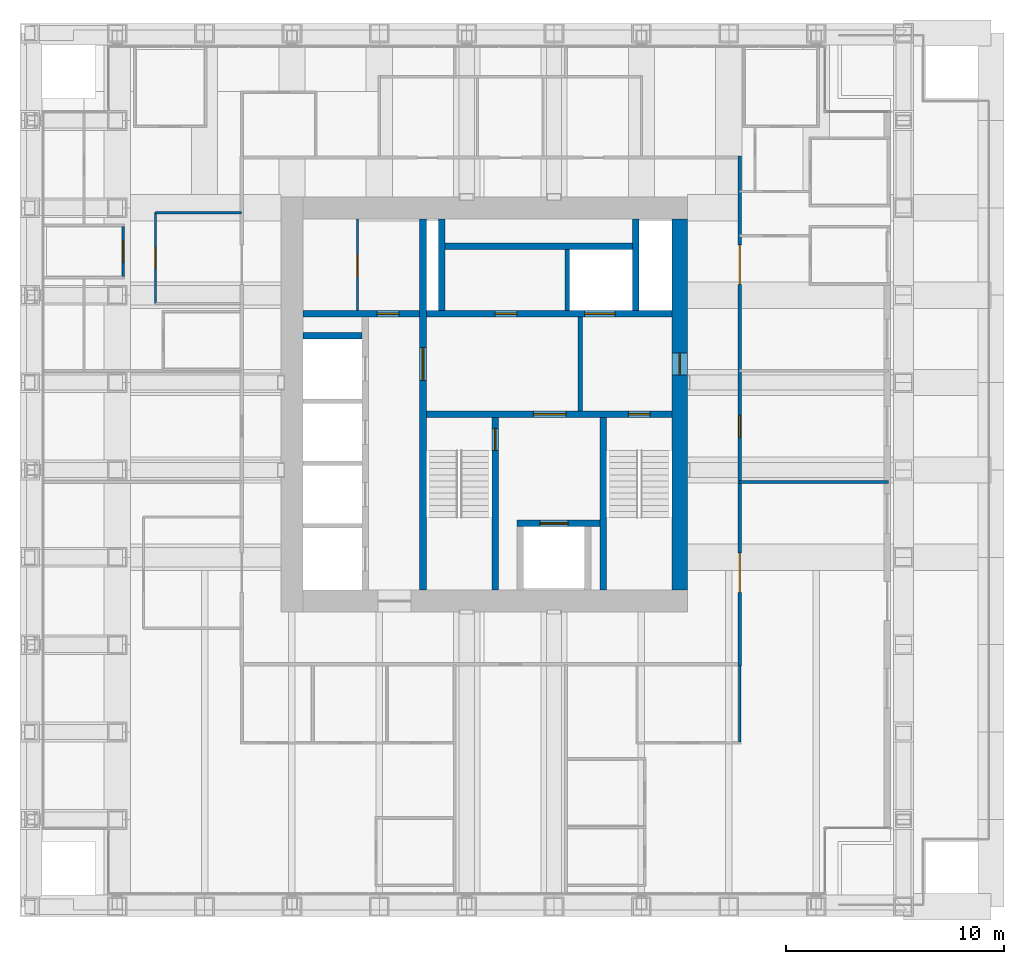
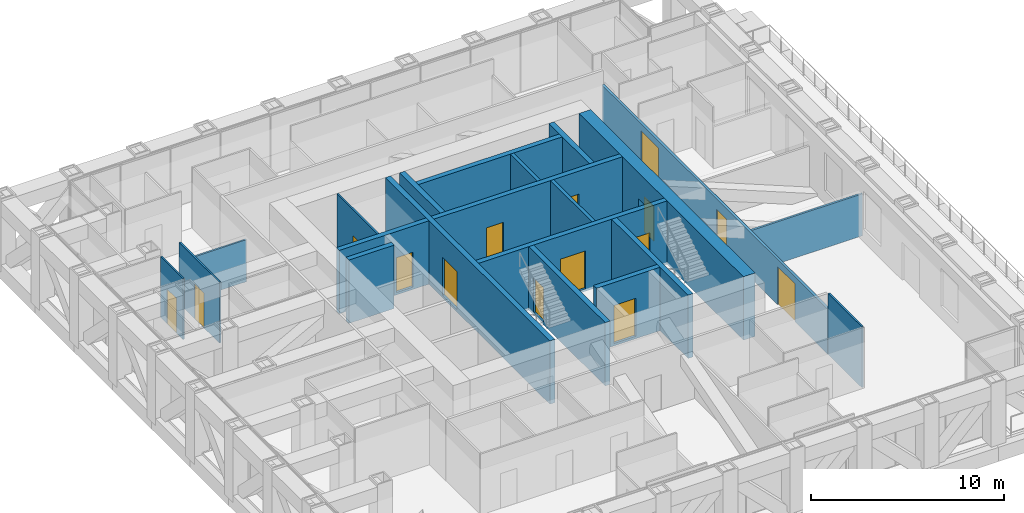
# One storey, part 10 of 14: 21 walls, 15 doors, 15 openings.
"""IFC4 building model written with IfcOpenShell, lengths in metres."""

from ifc_helpers import new_model, si_unit, direction, frame, frame_2d, origin, place, context, subcontext, project, spatial, rectangle, extrude, material, layer, layer_set, type_object, element, fill, save


model = new_model("IFC4")

# Units and contexts
model_context = context("Model", 3, precision=1e-05, world=origin(), true_north=direction((0.0, 1.0)))
body_context = subcontext(model_context, "Body", "Model", "MODEL_VIEW")
ifc_project = project(units=[si_unit("LENGTHUNIT", "METRE"), si_unit("AREAUNIT", "SQUARE_METRE"), si_unit("VOLUMEUNIT", "CUBIC_METRE"), si_unit("PLANEANGLEUNIT", "RADIAN"), si_unit("MASSUNIT", "GRAM", prefix="KILO")], contexts=[model_context])

# Site, building, storey
site_placement = place(None, origin())
site = spatial("IfcSite", under=ifc_project, at=site_placement, CompositionType="ELEMENT")
building_placement = place(site_placement, origin())
building = spatial("IfcBuilding", under=site, at=building_placement, Name="Rimbunsela Tower", CompositionType="ELEMENT")
storey_placement = place(building_placement, frame((0.0, 0.0, 270.199951171875)))
storey = spatial("IfcBuildingStorey", under=building, at=storey_placement, Name="L65", CompositionType="ELEMENT", Elevation=270.199951171875)

# Wall, opening, door
ifc_material_1 = material(Name="Concrete fc' 80 MPa", Category="concrete")
ifc_layer_1 = layer(ifc_material_1, 0.300048828125)
ifc_layer_set_1 = layer_set([ifc_layer_1], Name="Core internal wall 300")
wall_type_1 = type_object("IfcWallType", Name="Core internal wall 300", PredefinedType="SHEAR", material=ifc_layer_set_1)
wall_1_placement = place(storey_placement, frame((24.0, 18.5, -0.14990234375), z_axis=(0.0, 0.0, 1.0), x_axis=(0.0, 1.0, 0.0)))
wall_1 = element("IfcWall", 1, at=wall_1_placement, inside=storey, type_object=wall_type_1, Name="Core wall at stair A", PredefinedType="SHEAR", context=body_context, shape_type="SweptSolid", body=[
    extrude(rectangle(XDim=17.0, YDim=0.300048828125, at=frame_2d((8.5, 0.0))), origin(), (0.0, 0.0, 1.0), 4.0),
])
opening_1_placement = place(wall_1_placement, frame((9.60009765625, 0.0, 0.14990234375)))
opening_1 = element("IfcOpeningElement", 2, at=opening_1_placement, cuts=wall_1, Name="Opening D03", PredefinedType="OPENING", context=body_context, shape_type="SweptSolid", body=[
    extrude(rectangle(XDim=1.5, YDim=2.39990234375, at=frame_2d((0.75, 1.199951171875))), frame((0.0, 0.159912109375, 0.0), z_axis=(0.0, -1.0, 0.0), x_axis=(1.0, 0.0, 0.0)), (0.0, 0.0, 1.0), 0.320068359375),
])
ifc_material_2 = material(Name="Steel door, fire rated", Category="steel")
door_type_1 = type_object("IfcDoorType", Name="Core lobby door 1500", OperationType="DOUBLE_DOOR_DOUBLE_SWING", PredefinedType="DOOR", material=ifc_material_2)
door_1_placement = place(opening_1_placement, origin())
door_1 = element("IfcDoor", 3, at=door_1_placement, inside=storey, type_object=door_type_1, Name="West lobby door", OperationType="DOUBLE_DOOR_DOUBLE_SWING", OverallHeight=2.39990234375, OverallWidth=1.5, PredefinedType="DOOR", context=body_context, shape_type="SweptSolid", body=[
    extrude(rectangle(XDim=1.5, YDim=2.39990234375, at=frame_2d((0.75, 1.199951171875))), frame((0.0, 0.02490234375, 0.0), z_axis=(0.0, -1.0, 0.0), x_axis=(1.0, 0.0, 0.0)), (0.0, 0.0, 1.0), 0.050048828125),
])
fill(opening_1, door_1)

# Wall, openings, doors
wall_2_placement = place(storey_placement, frame((24.14990234375, 26.550048828125, -0.14990234375), z_axis=(0.0, 0.0, 1.0), x_axis=(1.0, 0.0, 0.0)))
wall_2 = element("IfcWall", 4, at=wall_2_placement, inside=storey, type_object=wall_type_1, Name="Core wall lobby south", PredefinedType="SHEAR", context=body_context, shape_type="SweptSolid", body=[
    extrude(rectangle(XDim=11.25, YDim=0.300048828125, at=frame_2d((5.625, 0.0))), origin(), (0.0, 0.0, 1.0), 4.0),
])
opening_2_placement = place(wall_2_placement, frame((9.25, 0.0, 0.14990234375)))
opening_2 = element("IfcOpeningElement", 5, at=opening_2_placement, cuts=wall_2, Name="Opening D01", PredefinedType="OPENING", context=body_context, shape_type="SweptSolid", body=[
    extrude(rectangle(XDim=1.0, YDim=2.199951171875, at=frame_2d((0.5, 1.10009765625))), frame((0.0, 0.159912109375, 0.0), z_axis=(0.0, -1.0, 0.0), x_axis=(1.0, 0.0, 0.0)), (0.0, 0.0, 1.0), 0.320068359375),
])
opening_3_placement = place(wall_2_placement, frame((4.89990234375, 0.0, 0.14990234375)))
opening_3 = element("IfcOpeningElement", 6, at=opening_3_placement, cuts=wall_2, Name="Opening D03", PredefinedType="OPENING", context=body_context, shape_type="SweptSolid", body=[
    extrude(rectangle(XDim=1.5, YDim=2.39990234375, at=frame_2d((0.75, 1.199951171875))), frame((0.0, 0.159912109375, 0.0), z_axis=(0.0, -1.0, 0.0), x_axis=(1.0, 0.0, 0.0)), (0.0, 0.0, 1.0), 0.320068359375),
])
door_2_placement = place(opening_3_placement, origin())
door_2 = element("IfcDoor", 7, at=door_2_placement, inside=storey, type_object=door_type_1, Name="Firefighting lobby door", OperationType="DOUBLE_DOOR_DOUBLE_SWING", OverallHeight=2.39990234375, OverallWidth=1.5, PredefinedType="DOOR", context=body_context, shape_type="SweptSolid", body=[
    extrude(rectangle(XDim=1.5, YDim=2.39990234375, at=frame_2d((0.75, 1.199951171875))), frame((0.0, 0.02490234375, 0.0), z_axis=(0.0, -1.0, 0.0), x_axis=(1.0, 0.0, 0.0)), (0.0, 0.0, 1.0), 0.050048828125),
])
fill(opening_3, door_2)
ifc_material_3 = material(Name="Steel door, fire rated", Category="steel")
door_type_2 = type_object("IfcDoorType", Name="Stair door 1000", OperationType="SINGLE_SWING_RIGHT", PredefinedType="DOOR", material=ifc_material_3)
door_3_placement = place(opening_2_placement, frame((1.0, 0.0, 0.0), z_axis=(0.0, 0.0, 1.0), x_axis=(-1.0, 0.0, 0.0)))
door_3 = element("IfcDoor", 8, at=door_3_placement, inside=storey, type_object=door_type_2, Name="Stair B door", OperationType="SINGLE_SWING_RIGHT", OverallHeight=2.199951171875, OverallWidth=1.0, PredefinedType="DOOR", context=body_context, shape_type="SweptSolid", body=[
    extrude(rectangle(XDim=1.0, YDim=2.199951171875, at=frame_2d((0.5, 1.10009765625))), frame((0.0, 0.02490234375, 0.0), z_axis=(0.0, -1.0, 0.0), x_axis=(1.0, 0.0, 0.0)), (0.0, 0.0, 1.0), 0.050048828125),
])
fill(opening_2, door_3)

# Wall, opening, door
wall_3_placement = place(storey_placement, frame((27.300048828125, 18.5, -0.14990234375), z_axis=(0.0, 0.0, 1.0), x_axis=(0.0, 1.0, 0.0)))
wall_3 = element("IfcWall", 9, at=wall_3_placement, inside=storey, type_object=wall_type_1, Name="Stair A enclosure", PredefinedType="SHEAR", context=body_context, shape_type="SweptSolid", body=[
    extrude(rectangle(XDim=7.89990234375, YDim=0.300048828125, at=frame_2d((3.949951171875, 0.0))), origin(), (0.0, 0.0, 1.0), 4.0),
])
opening_4_placement = place(wall_3_placement, frame((6.39990234375, 0.0, 0.14990234375)))
opening_4 = element("IfcOpeningElement", 10, at=opening_4_placement, cuts=wall_3, Name="Opening D01", PredefinedType="OPENING", context=body_context, shape_type="SweptSolid", body=[
    extrude(rectangle(XDim=1.0, YDim=2.199951171875, at=frame_2d((0.5, 1.10009765625))), frame((0.0, 0.159912109375, 0.0), z_axis=(0.0, -1.0, 0.0), x_axis=(1.0, 0.0, 0.0)), (0.0, 0.0, 1.0), 0.320068359375),
])
door_4_placement = place(opening_4_placement, origin())
door_4 = element("IfcDoor", 11, at=door_4_placement, inside=storey, type_object=door_type_2, Name="Stair A door", OperationType="SINGLE_SWING_RIGHT", OverallHeight=2.199951171875, OverallWidth=1.0, PredefinedType="DOOR", context=body_context, shape_type="SweptSolid", body=[
    extrude(rectangle(XDim=1.0, YDim=2.199951171875, at=frame_2d((0.5, 1.10009765625))), frame((0.0, 0.02490234375, 0.0), z_axis=(0.0, -1.0, 0.0), x_axis=(1.0, 0.0, 0.0)), (0.0, 0.0, 1.0), 0.050048828125),
])
fill(opening_4, door_4)

# Wall
wall_4_placement = place(storey_placement, frame((32.25, 18.5, -0.14990234375), z_axis=(0.0, 0.0, 1.0), x_axis=(0.0, 1.0, 0.0)))
element("IfcWall", 12, at=wall_4_placement, inside=storey, type_object=wall_type_1, Name="Stair B enclosure", PredefinedType="SHEAR", context=body_context, shape_type="SweptSolid", body=[
    extrude(rectangle(XDim=7.89990234375, YDim=0.300048828125, at=frame_2d((3.949951171875, 0.0))), origin(), (0.0, 0.0, 1.0), 4.0),
])

# Wall, opening, door
wall_5_placement = place(storey_placement, frame((28.300048828125, 21.550048828125, -0.14990234375), z_axis=(0.0, 0.0, 1.0), x_axis=(1.0, 0.0, 0.0)))
wall_5 = element("IfcWall", 13, at=wall_5_placement, inside=storey, type_object=wall_type_1, Name="Firefighting lift shaft front", PredefinedType="SHEAR", context=body_context, shape_type="SweptSolid", body=[
    extrude(rectangle(XDim=3.800048828125, YDim=0.300048828125, at=frame_2d((1.89990234375, 0.0))), origin(), (0.0, 0.0, 1.0), 4.0),
])
opening_5_placement = place(wall_5_placement, frame((1.050048828125, 0.0, 0.14990234375)))
opening_5 = element("IfcOpeningElement", 14, at=opening_5_placement, cuts=wall_5, Name="Opening LD2", PredefinedType="OPENING", context=body_context, shape_type="SweptSolid", body=[
    extrude(rectangle(XDim=1.300048828125, YDim=2.39990234375, at=frame_2d((0.64990234375, 1.199951171875))), frame((0.0, 0.159912109375, 0.0), z_axis=(0.0, -1.0, 0.0), x_axis=(1.0, 0.0, 0.0)), (0.0, 0.0, 1.0), 0.320068359375),
])
ifc_material_4 = material(Name="Steel door, fire rated", Category="steel")
door_type_3 = type_object("IfcDoorType", Name="Lift landing door 1300", OperationType="DOUBLE_DOOR_SLIDING", PredefinedType="DOOR", material=ifc_material_4)
door_5_placement = place(opening_5_placement, origin())
door_5 = element("IfcDoor", 15, at=door_5_placement, inside=storey, type_object=door_type_3, Name="Lift landing door FL1", OperationType="DOUBLE_DOOR_SLIDING", OverallHeight=2.39990234375, OverallWidth=1.300048828125, PredefinedType="DOOR", context=body_context, shape_type="SweptSolid", body=[
    extrude(rectangle(XDim=1.300048828125, YDim=2.39990234375, at=frame_2d((0.64990234375, 1.199951171875))), frame((0.0, 0.02490234375, 0.0), z_axis=(0.0, -1.0, 0.0), x_axis=(1.0, 0.0, 0.0)), (0.0, 0.0, 1.0), 0.050048828125),
])
fill(opening_5, door_5)

# Wall, openings, doors
wall_6_placement = place(storey_placement, frame((24.14990234375, 31.14990234375, -0.14990234375), z_axis=(0.0, 0.0, 1.0), x_axis=(1.0, 0.0, 0.0)))
wall_6 = element("IfcWall", 16, at=wall_6_placement, inside=storey, type_object=wall_type_1, Name="Lift shaft front north", PredefinedType="SHEAR", context=body_context, shape_type="SweptSolid", body=[
    extrude(rectangle(XDim=11.25, YDim=0.300048828125, at=frame_2d((5.625, 0.0))), origin(), (0.0, 0.0, 1.0), 4.0),
])
opening_6_placement = place(wall_6_placement, frame((3.14990234375, 0.0, 0.14990234375)))
opening_6 = element("IfcOpeningElement", 17, at=opening_6_placement, cuts=wall_6, Name="Opening D19", PredefinedType="OPENING", context=body_context, shape_type="SweptSolid", body=[
    extrude(rectangle(XDim=1.0, YDim=2.199951171875, at=frame_2d((0.5, 1.10009765625))), frame((0.0, 0.159912109375, 0.0), z_axis=(0.0, -1.0, 0.0), x_axis=(1.0, 0.0, 0.0)), (0.0, 0.0, 1.0), 0.320068359375),
])
opening_7_placement = place(wall_6_placement, frame((7.25, 0.0, 0.14990234375)))
opening_7 = element("IfcOpeningElement", 18, at=opening_7_placement, cuts=wall_6, Name="Opening LD3", PredefinedType="OPENING", context=body_context, shape_type="SweptSolid", body=[
    extrude(rectangle(XDim=1.39990234375, YDim=2.39990234375, at=frame_2d((0.699951171875, 1.199951171875))), frame((0.0, 0.159912109375, 0.0), z_axis=(0.0, -1.0, 0.0), x_axis=(1.0, 0.0, 0.0)), (0.0, 0.0, 1.0), 0.320068359375),
])
ifc_material_5 = material(Name="Steel door, fire rated", Category="steel")
door_type_4 = type_object("IfcDoorType", Name="Lift landing door 1400", OperationType="DOUBLE_DOOR_SLIDING", PredefinedType="DOOR", material=ifc_material_5)
door_6_placement = place(opening_7_placement, origin())
door_6 = element("IfcDoor", 19, at=door_6_placement, inside=storey, type_object=door_type_4, Name="Lift landing door FL2", OperationType="DOUBLE_DOOR_SLIDING", OverallHeight=2.39990234375, OverallWidth=1.39990234375, PredefinedType="DOOR", context=body_context, shape_type="SweptSolid", body=[
    extrude(rectangle(XDim=1.39990234375, YDim=2.39990234375, at=frame_2d((0.699951171875, 1.199951171875))), frame((0.0, 0.02490234375, 0.0), z_axis=(0.0, -1.0, 0.0), x_axis=(1.0, 0.0, 0.0)), (0.0, 0.0, 1.0), 0.050048828125),
])
fill(opening_7, door_6)
ifc_material_6 = material(Name="Steel door, fire rated", Category="steel")
door_type_5 = type_object("IfcDoorType", Name="Service door 1000 fire rated", OperationType="SINGLE_SWING_LEFT", PredefinedType="DOOR", material=ifc_material_6)
door_7_placement = place(opening_6_placement, origin())
door_7 = element("IfcDoor", 20, at=door_7_placement, inside=storey, type_object=door_type_5, Name="Facilities store door", OperationType="SINGLE_SWING_LEFT", OverallHeight=2.199951171875, OverallWidth=1.0, PredefinedType="DOOR", context=body_context, shape_type="SweptSolid", body=[
    extrude(rectangle(XDim=1.0, YDim=2.199951171875, at=frame_2d((0.5, 1.10009765625))), frame((0.0, 0.02490234375, 0.0), z_axis=(0.0, -1.0, 0.0), x_axis=(1.0, 0.0, 0.0)), (0.0, 0.0, 1.0), 0.050048828125),
])
fill(opening_6, door_7)

# Wall, opening, door
wall_7_placement = place(storey_placement, frame((18.5, 31.14990234375, -0.14990234375), z_axis=(0.0, 0.0, 1.0), x_axis=(1.0, 0.0, 0.0)))
wall_7 = element("IfcWall", 21, at=wall_7_placement, inside=storey, type_object=wall_type_1, Name="Store wall", PredefinedType="SHEAR", context=body_context, shape_type="SweptSolid", body=[
    extrude(rectangle(XDim=5.35009765625, YDim=0.300048828125, at=frame_2d((2.675048828125, 0.0))), origin(), (0.0, 0.0, 1.0), 4.0),
])
opening_8_placement = place(wall_7_placement, frame((3.39990234375, 0.0, 0.14990234375)))
opening_8 = element("IfcOpeningElement", 22, at=opening_8_placement, cuts=wall_7, Name="Opening D19", PredefinedType="OPENING", context=body_context, shape_type="SweptSolid", body=[
    extrude(rectangle(XDim=1.0, YDim=2.199951171875, at=frame_2d((0.5, 1.10009765625))), frame((0.0, 0.159912109375, 0.0), z_axis=(0.0, -1.0, 0.0), x_axis=(1.0, 0.0, 0.0)), (0.0, 0.0, 1.0), 0.320068359375),
])
door_8_placement = place(opening_8_placement, origin())
door_8 = element("IfcDoor", 23, at=door_8_placement, inside=storey, type_object=door_type_5, Name="IT room door", OperationType="SINGLE_SWING_LEFT", OverallHeight=2.199951171875, OverallWidth=1.0, PredefinedType="DOOR", context=body_context, shape_type="SweptSolid", body=[
    extrude(rectangle(XDim=1.0, YDim=2.199951171875, at=frame_2d((0.5, 1.10009765625))), frame((0.0, 0.02490234375, 0.0), z_axis=(0.0, -1.0, 0.0), x_axis=(1.0, 0.0, 0.0)), (0.0, 0.0, 1.0), 0.050048828125),
])
fill(opening_8, door_8)

# Walls
wall_8_placement = place(storey_placement, frame((18.5, 30.14990234375, -0.14990234375), z_axis=(0.0, 0.0, 1.0), x_axis=(1.0, 0.0, 0.0)))
element("IfcWall", 24, at=wall_8_placement, inside=storey, type_object=wall_type_1, Name="Lift shaft rear west", PredefinedType="SHEAR", context=body_context, shape_type="SweptSolid", body=[
    extrude(rectangle(XDim=2.699951171875, YDim=0.300048828125, at=frame_2d((1.35009765625, 0.0))), origin(), (0.0, 0.0, 1.0), 4.0),
])
for number, where, z_axis, x_axis, name in (
    (25, (24.85009765625, 31.300048828125, -0.14990234375), (0.0, 0.0, 1.0), (0.0, 1.0, 0.0), "Riser wall"),
    (26, (33.75, 31.300048828125, -0.14990234375), (0.0, 0.0, 1.0), (0.0, 1.0, 0.0), "Riser wall"),
):
    element("IfcWall", number, at=place(storey_placement, frame(where, z_axis=z_axis, x_axis=x_axis)), inside=storey, type_object=wall_type_1, Name=name, PredefinedType="SHEAR", context=body_context, shape_type="SweptSolid", body=[
        extrude(rectangle(XDim=4.199951171875, YDim=0.300048828125, at=frame_2d((2.10009765625, 0.0))), origin(), (0.0, 0.0, 1.0), 4.0),
    ])
wall_9_placement = place(storey_placement, frame((25.0, 34.25, -0.14990234375), z_axis=(0.0, 0.0, 1.0), x_axis=(1.0, 0.0, 0.0)))
element("IfcWall", 27, at=wall_9_placement, inside=storey, type_object=wall_type_1, Name="Lift shaft rear north", PredefinedType="SHEAR", context=body_context, shape_type="SweptSolid", body=[
    extrude(rectangle(XDim=8.60009765625, YDim=0.300048828125, at=frame_2d((4.300048828125, 0.0))), origin(), (0.0, 0.0, 1.0), 4.0),
])

# Wall, opening, door
ifc_material_7 = material(Name="Concrete blockwork", Category="masonry")
ifc_layer_2 = layer(ifc_material_7, 0.10009765625)
ifc_layer_set_2 = layer_set([ifc_layer_2], Name="Core room partition 100")
wall_type_2 = type_object("IfcWallType", Name="Core room partition 100", PredefinedType="PARTITIONING", material=ifc_layer_set_2)
wall_10_placement = place(storey_placement, frame((21.0, 31.300048828125, 0.0), z_axis=(0.0, 0.0, 1.0), x_axis=(0.0, 1.0, 0.0)))
wall_10 = element("IfcWall", 28, at=wall_10_placement, inside=storey, type_object=wall_type_2, Name="Tenant store wall", PredefinedType="PARTITIONING", context=body_context, shape_type="SweptSolid", body=[
    extrude(rectangle(XDim=4.199951171875, YDim=0.10009765625, at=frame_2d((2.10009765625, 0.0))), origin(), (0.0, 0.0, 1.0), 3.85009765625),
])
opening_9_placement = place(wall_10_placement, frame((1.550048828125, 0.0, 0.0)))
opening_9 = element("IfcOpeningElement", 29, at=opening_9_placement, cuts=wall_10, Name="Opening D19", PredefinedType="OPENING", context=body_context, shape_type="SweptSolid", body=[
    extrude(rectangle(XDim=1.0, YDim=2.199951171875, at=frame_2d((0.5, 1.10009765625))), frame((0.0, 0.06005859375, 0.0), z_axis=(0.0, -1.0, 0.0), x_axis=(1.0, 0.0, 0.0)), (0.0, 0.0, 1.0), 0.1201171875),
])
door_9_placement = place(opening_9_placement, origin())
door_9 = element("IfcDoor", 30, at=door_9_placement, inside=storey, type_object=door_type_5, Name="Tenant store door", OperationType="SINGLE_SWING_LEFT", OverallHeight=2.199951171875, OverallWidth=1.0, PredefinedType="DOOR", context=body_context, shape_type="SweptSolid", body=[
    extrude(rectangle(XDim=1.0, YDim=2.199951171875, at=frame_2d((0.5, 1.10009765625))), frame((0.0, 0.02490234375, 0.0), z_axis=(0.0, -1.0, 0.0), x_axis=(1.0, 0.0, 0.0)), (0.0, 0.0, 1.0), 0.050048828125),
])
fill(opening_9, door_9)

ifc_material_8 = material(Name="Concrete fc' 80 MPa", Category="concrete")
ifc_layer_3 = layer(ifc_material_8, 0.699951171875)
ifc_layer_set_3 = layer_set([ifc_layer_3], Name="Core wall 700 east")
wall_type_3 = type_object("IfcWallType", Name="Core wall 700 east", PredefinedType="SHEAR", material=ifc_layer_set_3)
wall_11_placement = place(storey_placement, frame((35.75, 18.5, -0.14990234375), z_axis=(0.0, 0.0, 1.0), x_axis=(0.0, 1.0, 0.0)))
wall_11 = element("IfcWall", 31, at=wall_11_placement, inside=storey, type_object=wall_type_3, Name="Core wall east", PredefinedType="SHEAR", context=body_context, shape_type="SweptSolid", body=[
    extrude(rectangle(XDim=17.0, YDim=0.699951171875, at=frame_2d((8.5, 0.0))), origin(), (0.0, 0.0, 1.0), 4.0),
])
opening_10_placement = place(wall_11_placement, frame((9.85009765625, 0.0, 0.14990234375)))
opening_10 = element("IfcOpeningElement", 32, at=opening_10_placement, cuts=wall_11, Name="Opening D01", PredefinedType="OPENING", context=body_context, shape_type="SweptSolid", body=[
    extrude(rectangle(XDim=1.0, YDim=2.199951171875, at=frame_2d((0.5, 1.10009765625))), frame((0.0, 0.35986328125, 0.0), z_axis=(0.0, -1.0, 0.0), x_axis=(1.0, 0.0, 0.0)), (0.0, 0.0, 1.0), 0.719970703125),
])
door_10_placement = place(opening_10_placement, origin())
door_10 = element("IfcDoor", 33, at=door_10_placement, inside=storey, type_object=door_type_2, Name="Firefighting lobby 2 door", OperationType="SINGLE_SWING_RIGHT", OverallHeight=2.199951171875, OverallWidth=1.0, PredefinedType="DOOR", context=body_context, shape_type="SweptSolid", body=[
    extrude(rectangle(XDim=1.0, YDim=2.199951171875, at=frame_2d((0.5, 1.10009765625))), frame((0.0, 0.02490234375, 0.0), z_axis=(0.0, -1.0, 0.0), x_axis=(1.0, 0.0, 0.0)), (0.0, 0.0, 1.0), 0.050048828125),
])
fill(opening_10, door_10)

# Walls
ifc_material_9 = material(Name="Concrete blockwork", Category="masonry")
ifc_layer_4 = layer(ifc_material_9, 0.199951171875)
ifc_layer_set_4 = layer_set([ifc_layer_4], Name="Lift shaft wall 200")
wall_type_4 = type_object("IfcWallType", Name="Lift shaft wall 200", PredefinedType="SOLIDWALL", material=ifc_layer_set_4)
wall_12_placement = place(storey_placement, frame((30.60009765625, 31.300048828125, -0.14990234375), z_axis=(0.0, 0.0, 1.0), x_axis=(0.0, 1.0, 0.0)))
element("IfcWall", 34, at=wall_12_placement, inside=storey, type_object=wall_type_4, Name="Lift shaft separation", PredefinedType="SOLIDWALL", context=body_context, shape_type="SweptSolid", body=[
    extrude(rectangle(XDim=2.800048828125, YDim=0.199951171875, at=frame_2d((1.39990234375, 0.0))), origin(), (0.0, 0.0, 1.0), 4.0),
])
wall_13_placement = place(storey_placement, frame((31.199951171875, 26.699951171875, 0.0), z_axis=(0.0, 0.0, 1.0), x_axis=(0.0, 1.0, 0.0)))
element("IfcWall", 35, at=wall_13_placement, inside=storey, type_object=wall_type_4, Name="Firefighting lobby 2 wall", PredefinedType="SOLIDWALL", context=body_context, shape_type="SweptSolid", body=[
    extrude(rectangle(XDim=4.300048828125, YDim=0.199951171875, at=frame_2d((2.14990234375, 0.0))), origin(), (0.0, 0.0, 1.0), 3.85009765625),
])

# Wall, opening, door
ifc_material_10 = material(Name="Gypsum board on steel studs", Category="steel")
ifc_layer_5 = layer(ifc_material_10, 0.10009765625)
ifc_layer_set_5 = layer_set([ifc_layer_5], Name="Office partition 100")
wall_type_5 = type_object("IfcWallType", Name="Office partition 100", PredefinedType="PARTITIONING", material=ifc_layer_set_5)
wall_14_placement = place(storey_placement, frame((10.280029296875, 32.85009765625, 0.0), z_axis=(0.0, 0.0, 1.0), x_axis=(0.0, 1.0, 0.0)))
wall_14 = element("IfcWall", 36, at=wall_14_placement, inside=storey, type_object=wall_type_5, Name="Office partition", PredefinedType="PARTITIONING", context=body_context, shape_type="SweptSolid", body=[
    extrude(rectangle(XDim=2.2998046875, YDim=0.10009765625, at=frame_2d((1.14990234375, 0.0))), origin(), (0.0, 0.0, 1.0), 3.85009765625),
])
opening_11_placement = place(wall_14_placement, frame((0.64990234375, 0.0, 0.0)))
opening_11 = element("IfcOpeningElement", 37, at=opening_11_placement, cuts=wall_14, Name="Opening D16", PredefinedType="OPENING", context=body_context, shape_type="SweptSolid", body=[
    extrude(rectangle(XDim=1.0, YDim=2.199951171875, at=frame_2d((0.5, 1.10009765625))), frame((0.0, 0.06005859375, 0.0), z_axis=(0.0, -1.0, 0.0), x_axis=(1.0, 0.0, 0.0)), (0.0, 0.0, 1.0), 0.1201171875),
])
ifc_material_11 = material(Name="Timber door", Category="wood")
door_type_6 = type_object("IfcDoorType", Name="Office door 1000", OperationType="SINGLE_SWING_LEFT", PredefinedType="DOOR", material=ifc_material_11)
door_11_placement = place(opening_11_placement, origin())
door_11 = element("IfcDoor", 38, at=door_11_placement, inside=storey, type_object=door_type_6, Name="Office door", OperationType="SINGLE_SWING_LEFT", OverallHeight=2.199951171875, OverallWidth=1.0, PredefinedType="DOOR", context=body_context, shape_type="SweptSolid", body=[
    extrude(rectangle(XDim=1.0, YDim=2.199951171875, at=frame_2d((0.5, 1.10009765625))), frame((0.0, 0.02490234375, 0.0), z_axis=(0.0, -1.0, 0.0), x_axis=(1.0, 0.0, 0.0)), (0.0, 0.0, 1.0), 0.050048828125),
])
fill(opening_11, door_11)

# Walls
wall_15_placement = place(storey_placement, frame((38.5, 11.550048828125, 0.0), z_axis=(0.0, 0.0, 1.0), x_axis=(0.0, 1.0, 0.0)))
element("IfcWall", 39, at=wall_15_placement, inside=storey, type_object=wall_type_5, Name="Office partition", PredefinedType="PARTITIONING", context=body_context, shape_type="SweptSolid", body=[
    extrude(rectangle(XDim=3.474853515625, YDim=0.10009765625, at=frame_2d((1.7373046875, 0.0))), origin(), (0.0, 0.0, 1.0), 3.85009765625),
])
wall_16_placement = place(storey_placement, frame((15.699951171875, 35.77587890625, 0.0), z_axis=(0.0, 0.0, 1.0), x_axis=(-1.0, 0.0, 0.0)))
element("IfcWall", 40, at=wall_16_placement, inside=storey, type_object=wall_type_5, Name="Office partition", PredefinedType="PARTITIONING", context=body_context, shape_type="SweptSolid", body=[
    extrude(rectangle(XDim=3.949951171875, YDim=0.10009765625, at=frame_2d((1.97509765625, 0.0))), origin(), (0.0, 0.0, 1.0), 2.650146484375),
])

# Wall, opening, door
wall_17_placement = place(storey_placement, frame((11.75, 35.77587890625, 0.0), z_axis=(0.0, 0.0, 1.0), x_axis=(0.0, -1.0, 0.0)))
wall_17 = element("IfcWall", 41, at=wall_17_placement, inside=storey, type_object=wall_type_5, Name="Office partition", PredefinedType="PARTITIONING", context=body_context, shape_type="SweptSolid", body=[
    extrude(rectangle(XDim=4.14990234375, YDim=0.10009765625, at=frame_2d((2.074951171875, 0.0))), origin(), (0.0, 0.0, 1.0), 3.85009765625),
])
opening_12_placement = place(wall_17_placement, frame((1.574951171875, 0.0, 0.0)))
opening_12 = element("IfcOpeningElement", 42, at=opening_12_placement, cuts=wall_17, Name="Opening D17", PredefinedType="OPENING", context=body_context, shape_type="SweptSolid", body=[
    extrude(rectangle(XDim=1.0, YDim=2.199951171875, at=frame_2d((0.5, 1.10009765625))), frame((0.0, 0.06005859375, 0.0), z_axis=(0.0, -1.0, 0.0), x_axis=(1.0, 0.0, 0.0)), (0.0, 0.0, 1.0), 0.1201171875),
])
ifc_material_12 = material(Name="Glazed aluminium door", Category="aluminium")
door_type_7 = type_object("IfcDoorType", Name="Meeting room door 1000 glazed", OperationType="SINGLE_SWING_RIGHT", PredefinedType="DOOR", material=ifc_material_12)
door_12_placement = place(opening_12_placement, origin())
door_12 = element("IfcDoor", 43, at=door_12_placement, inside=storey, type_object=door_type_7, Name="Reception door", OperationType="SINGLE_SWING_RIGHT", OverallHeight=2.199951171875, OverallWidth=1.0, PredefinedType="DOOR", context=body_context, shape_type="SweptSolid", body=[
    extrude(rectangle(XDim=1.0, YDim=2.199951171875, at=frame_2d((0.5, 1.10009765625))), frame((0.0, 0.02490234375, 0.0), z_axis=(0.0, -1.0, 0.0), x_axis=(1.0, 0.0, 0.0)), (0.0, 0.0, 1.0), 0.050048828125),
])
fill(opening_12, door_12)

# Wall, openings, doors
ifc_material_13 = material(Name="Fire-rated gypsum board on steel studs, EI 60", Category="steel")
ifc_layer_6 = layer(ifc_material_13, 0.14990234375)
ifc_layer_set_6 = layer_set([ifc_layer_6], Name="Rated corridor wall 150")
wall_type_6 = type_object("IfcWallType", Name="Rated corridor wall 150", PredefinedType="PARTITIONING", material=ifc_layer_set_6)
wall_18_placement = place(storey_placement, frame((38.5, 15.02490234375, 0.0), z_axis=(0.0, 0.0, 1.0), x_axis=(0.0, 1.0, 0.0)))
wall_18 = element("IfcWall", 44, at=wall_18_placement, inside=storey, type_object=wall_type_6, Name="Corridor wall east", PredefinedType="PARTITIONING", context=body_context, shape_type="SweptSolid", body=[
    extrude(rectangle(XDim=23.35009765625, YDim=0.14990234375, at=frame_2d((11.675048828125, 0.0))), origin(), (0.0, 0.0, 1.0), 2.85009765625),
])
opening_13_placement = place(wall_18_placement, frame((3.3740234375, 0.0, 0.0)))
opening_13 = element("IfcOpeningElement", 45, at=opening_13_placement, cuts=wall_18, Name="Opening D09", PredefinedType="OPENING", context=body_context, shape_type="SweptSolid", body=[
    extrude(rectangle(XDim=1.800048828125, YDim=2.39990234375, at=frame_2d((0.89990234375, 1.199951171875))), frame((0.0, 0.0849609375, 0.0), z_axis=(0.0, -1.0, 0.0), x_axis=(1.0, 0.0, 0.0)), (0.0, 0.0, 1.0), 0.169921875),
])
opening_14_placement = place(wall_18_placement, frame((17.47607421875, 0.0, 0.0)))
opening_14 = element("IfcOpeningElement", 46, at=opening_14_placement, cuts=wall_18, Name="Opening D09", PredefinedType="OPENING", context=body_context, shape_type="SweptSolid", body=[
    extrude(rectangle(XDim=1.800048828125, YDim=2.39990234375, at=frame_2d((0.89990234375, 1.199951171875))), frame((0.0, 0.0849609375, 0.0), z_axis=(0.0, -1.0, 0.0), x_axis=(1.0, 0.0, 0.0)), (0.0, 0.0, 1.0), 0.169921875),
])
opening_15_placement = place(wall_18_placement, frame((10.47509765625, 0.0, 0.0)))
opening_15 = element("IfcOpeningElement", 47, at=opening_15_placement, cuts=wall_18, Name="Opening D19", PredefinedType="OPENING", context=body_context, shape_type="SweptSolid", body=[
    extrude(rectangle(XDim=1.0, YDim=2.199951171875, at=frame_2d((0.5, 1.10009765625))), frame((0.0, 0.0849609375, 0.0), z_axis=(0.0, -1.0, 0.0), x_axis=(1.0, 0.0, 0.0)), (0.0, 0.0, 1.0), 0.169921875),
])
door_13_placement = place(opening_15_placement, origin())
door_13 = element("IfcDoor", 48, at=door_13_placement, inside=storey, type_object=door_type_5, Name="Service chase access door", OperationType="SINGLE_SWING_LEFT", OverallHeight=2.199951171875, OverallWidth=1.0, PredefinedType="DOOR", context=body_context, shape_type="SweptSolid", body=[
    extrude(rectangle(XDim=1.0, YDim=2.199951171875, at=frame_2d((0.5, 1.10009765625))), frame((0.0, 0.02490234375, 0.0), z_axis=(0.0, -1.0, 0.0), x_axis=(1.0, 0.0, 0.0)), (0.0, 0.0, 1.0), 0.050048828125),
])
fill(opening_15, door_13)
ifc_material_14 = material(Name="Glazed aluminium door, fire rated", Category="aluminium")
door_type_8 = type_object("IfcDoorType", Name="Tenancy door 1800 glazed", OperationType="DOUBLE_DOOR_DOUBLE_SWING", PredefinedType="DOOR", material=ifc_material_14)
door_14_placement = place(opening_13_placement, origin())
door_14 = element("IfcDoor", 49, at=door_14_placement, inside=storey, type_object=door_type_8, Name="Tenancy door", OperationType="DOUBLE_DOOR_DOUBLE_SWING", OverallHeight=2.39990234375, OverallWidth=1.800048828125, PredefinedType="DOOR", context=body_context, shape_type="SweptSolid", body=[
    extrude(rectangle(XDim=1.800048828125, YDim=2.39990234375, at=frame_2d((0.89990234375, 1.199951171875))), frame((0.0, 0.02490234375, 0.0), z_axis=(0.0, -1.0, 0.0), x_axis=(1.0, 0.0, 0.0)), (0.0, 0.0, 1.0), 0.050048828125),
])
fill(opening_13, door_14)
door_15_placement = place(opening_14_placement, origin())
door_15 = element("IfcDoor", 50, at=door_15_placement, inside=storey, type_object=door_type_8, Name="Tenancy door", OperationType="DOUBLE_DOOR_DOUBLE_SWING", OverallHeight=2.39990234375, OverallWidth=1.800048828125, PredefinedType="DOOR", context=body_context, shape_type="SweptSolid", body=[
    extrude(rectangle(XDim=1.800048828125, YDim=2.39990234375, at=frame_2d((0.89990234375, 1.199951171875))), frame((0.0, 0.02490234375, 0.0), z_axis=(0.0, -1.0, 0.0), x_axis=(1.0, 0.0, 0.0)), (0.0, 0.0, 1.0), 0.050048828125),
])
fill(opening_14, door_15)

# Wall
ifc_material_15 = material(Name="Gypsum board on steel studs", Category="steel")
ifc_layer_7 = layer(ifc_material_15, 0.1201171875)
ifc_layer_set_7 = layer_set([ifc_layer_7], Name="Tenancy partition 120")
wall_type_7 = type_object("IfcWallType", Name="Tenancy partition 120", PredefinedType="PARTITIONING", material=ifc_layer_set_7)
wall_19_placement = place(storey_placement, frame((38.5, 23.449951171875, 0.0), z_axis=(0.0, 0.0, 1.0), x_axis=(1.0, 0.0, 0.0)))
element("IfcWall", 51, at=wall_19_placement, inside=storey, type_object=wall_type_7, Name="Tenancy partition", PredefinedType="PARTITIONING", context=body_context, shape_type="SweptSolid", body=[
    extrude(rectangle(XDim=6.820068359375, YDim=0.1201171875, at=frame_2d((3.41015625, 0.0))), origin(), (0.0, 0.0, 1.0), 2.650146484375),
])

save(model, "model.ifc")
